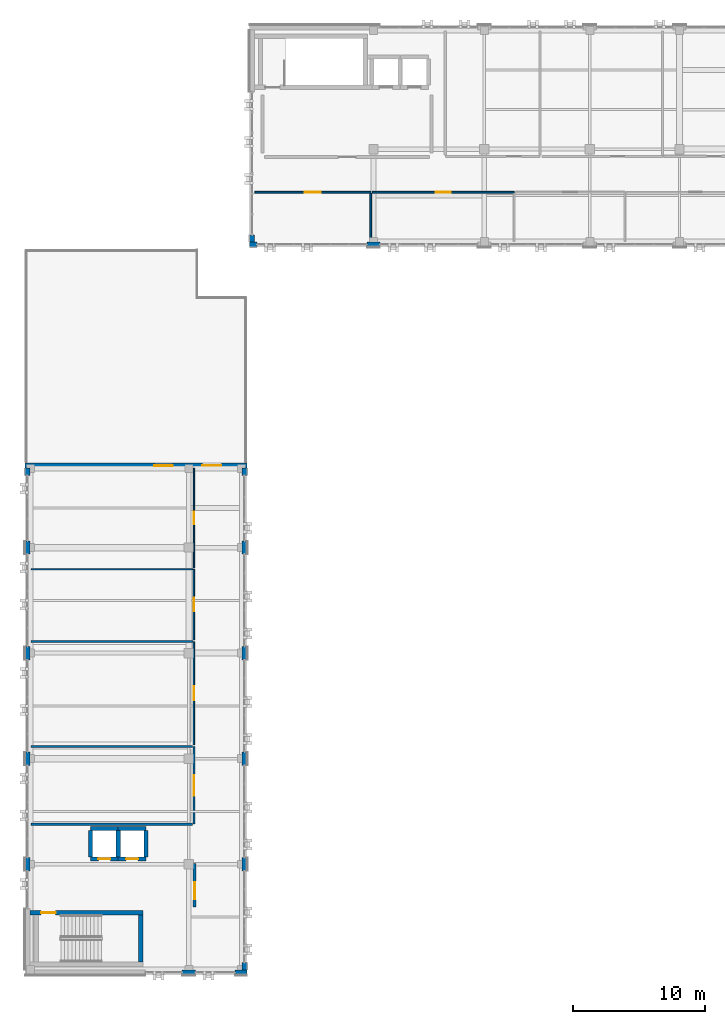
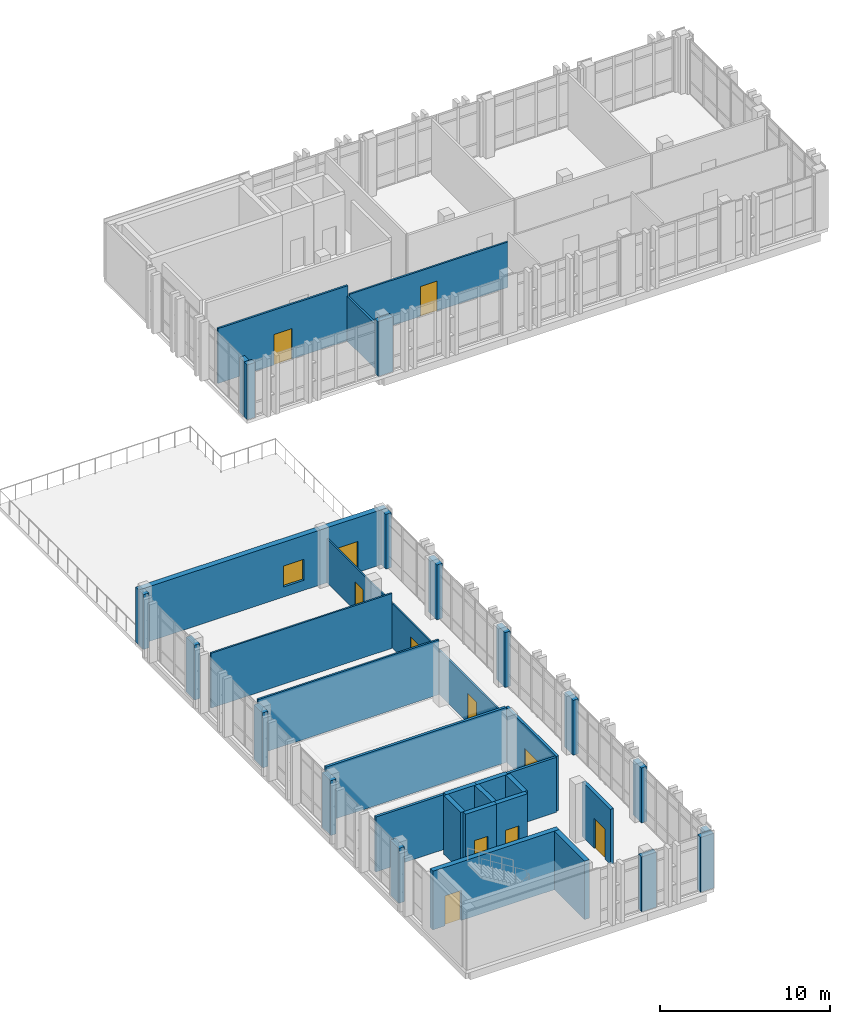
# One storey, part 59 of 77: 38 walls, 11 doors, 1 window, 12 openings.
"""IFC4 building model written with IfcOpenShell, lengths in metres."""

from ifc_helpers import new_model, si_unit, direction, frame, frame_2d, origin, place, context, subcontext, project, spatial, rectangle, extrude, material, layer, layer_set, type_object, element, fill, save


model = new_model("IFC4")

# Units and contexts
model_context = context("Model", 3, precision=1e-05, world=origin(), true_north=direction((0.0, 1.0)))
body_context = subcontext(model_context, "Body", "Model", "MODEL_VIEW")
ifc_project = project(units=[si_unit("LENGTHUNIT", "METRE"), si_unit("AREAUNIT", "SQUARE_METRE"), si_unit("VOLUMEUNIT", "CUBIC_METRE"), si_unit("PLANEANGLEUNIT", "RADIAN"), si_unit("MASSUNIT", "GRAM", prefix="KILO")], contexts=[model_context])

# Site, building, storey
site_placement = place(None, origin())
site = spatial("IfcSite", under=ifc_project, at=site_placement, CompositionType="ELEMENT")
building_placement = place(site_placement, origin())
building = spatial("IfcBuilding", under=site, at=building_placement, Name="Qalavern Law Courts", CompositionType="ELEMENT")
storey_placement = place(building_placement, frame((0.0, 0.0, 27.0)))
storey = spatial("IfcBuildingStorey", under=building, at=storey_placement, Name="L06", CompositionType="ELEMENT", Elevation=27.0)

# Walls
ifc_material_1 = material(Name="Concrete C40/50", Category="concrete")
ifc_layer_1 = layer(ifc_material_1, 0.3701171875)
ifc_layer_set_1 = layer_set([ifc_layer_1], Name="Concrete C40/50")
wall_type_1 = type_object("IfcWallType", Name="ENV-EW-370", PredefinedType="SOLIDWALL", material=ifc_layer_set_1)
wall_1_placement = place(storey_placement, frame((13.89990234375, 41.205078125, 0.0), z_axis=(0.0, 0.0, 1.0), x_axis=(1.0, 0.0, 0.0)))
element("IfcWall", 1, at=wall_1_placement, inside=storey, type_object=wall_type_1, Name="V3 exterior pier wall L06 south 2", PredefinedType="SOLIDWALL", context=body_context, shape_type="SweptSolid", body=[
    extrude(rectangle(XDim=1.0, YDim=0.3701171875, at=frame_2d((0.5, 0.0))), origin(), (0.0, 0.0, 1.0), 3.93505859375),
])
wall_2_placement = place(storey_placement, frame((17.89990234375, 41.205078125, 0.0), z_axis=(0.0, 0.0, 1.0), x_axis=(1.0, 0.0, 0.0)))
element("IfcWall", 2, at=wall_2_placement, inside=storey, type_object=wall_type_1, Name="V3 exterior pier wall L06 south 3", PredefinedType="SOLIDWALL", context=body_context, shape_type="SweptSolid", body=[
    extrude(rectangle(XDim=0.900146484375, YDim=0.3701171875, at=frame_2d((0.4501953125, 0.0))), origin(), (0.0, 0.0, 1.0), 3.93505859375),
])
wall_3_placement = place(storey_placement, frame((18.614990234375, 41.385009765625, 0.0), z_axis=(0.0, 0.0, 1.0), x_axis=(0.0, 1.0, 0.0)))
element("IfcWall", 3, at=wall_3_placement, inside=storey, type_object=wall_type_1, Name="V3 exterior pier wall L06 east 1", PredefinedType="SOLIDWALL", context=body_context, shape_type="SweptSolid", body=[
    extrude(rectangle(XDim=0.550048828125, YDim=0.3701171875, at=frame_2d((0.27490234375, 0.0))), origin(), (0.0, 0.0, 1.0), 3.93505859375),
])
for number, where, z_axis, x_axis, name in (
    (4, (18.614990234375, 48.89990234375, 0.0), (0.0, 0.0, 1.0), (0.0, 1.0, 0.0), "V3 exterior pier wall L06 east 2"),
    (5, (18.614990234375, 56.89990234375, 0.0), (0.0, 0.0, 1.0), (0.0, 1.0, 0.0), "V3 exterior pier wall L06 east 3"),
    (6, (18.614990234375, 64.89990234375, 0.0), (0.0, 0.0, 1.0), (0.0, 1.0, 0.0), "V3 exterior pier wall L06 east 4"),
    (7, (18.614990234375, 72.89990234375, 0.0), (0.0, 0.0, 1.0), (0.0, 1.0, 0.0), "V3 exterior pier wall L06 east 5"),
):
    element("IfcWall", number, at=place(storey_placement, frame(where, z_axis=z_axis, x_axis=x_axis)), inside=storey, type_object=wall_type_1, Name=name, PredefinedType="SOLIDWALL", context=body_context, shape_type="SweptSolid", body=[
        extrude(rectangle(XDim=1.0, YDim=0.3701171875, at=frame_2d((0.5, 0.0))), origin(), (0.0, 0.0, 1.0), 3.93505859375),
    ])
wall_4_placement = place(storey_placement, frame((18.614990234375, 78.885009765625, 0.0), z_axis=(0.0, 0.0, 1.0), x_axis=(0.0, 1.0, 0.0)))
element("IfcWall", 8, at=wall_4_placement, inside=storey, type_object=wall_type_1, Name="V3 exterior pier wall L06 east 6", PredefinedType="SOLIDWALL", context=body_context, shape_type="SweptSolid", body=[
    extrude(rectangle(XDim=0.550048828125, YDim=0.3701171875, at=frame_2d((0.27490234375, 0.0))), origin(), (0.0, 0.0, 1.0), 3.93505859375),
])

# Wall, openings, door, window
wall_5_placement = place(storey_placement, frame((18.800048828125, 79.614990234375, 0.0), z_axis=(0.0, 0.0, 1.0), x_axis=(-1.0, 0.0, 0.0)))
wall_5 = element("IfcWall", 9, at=wall_5_placement, inside=storey, type_object=wall_type_1, Name="V3 exterior wall L06 north 1", PredefinedType="SOLIDWALL", context=body_context, shape_type="SweptSolid", body=[
    extrude(rectangle(XDim=16.800048828125, YDim=0.3701171875, at=frame_2d((8.39990234375, 0.0))), origin(), (0.0, 0.0, 1.0), 3.93505859375),
])
opening_1_placement = place(wall_5_placement, frame((1.929931640625, 0.0, 0.0)))
opening_1 = element("IfcOpeningElement", 10, at=opening_1_placement, cuts=wall_5, Name="Opening TD-V3-L06", PredefinedType="OPENING", context=body_context, shape_type="SweptSolid", body=[
    extrude(rectangle(XDim=1.43994140625, YDim=2.219970703125, at=frame_2d((0.719970703125, 1.10986328125))), frame((0.0, 0.199951171875, 0.0), z_axis=(0.0, -1.0, 0.0), x_axis=(1.0, 0.0, 0.0)), (0.0, 0.0, 1.0), 0.39990234375),
])
opening_2_placement = place(wall_5_placement, frame((5.60009765625, 0.0, 0.719970703125)))
opening_2 = element("IfcOpeningElement", 11, at=opening_2_placement, cuts=wall_5, Name="Opening WN-03", PredefinedType="OPENING", context=body_context, shape_type="SweptSolid", body=[
    extrude(rectangle(XDim=1.39990234375, YDim=1.5, at=frame_2d((0.699951171875, 0.75))), frame((0.0, 0.199951171875, 0.0), z_axis=(0.0, -1.0, 0.0), x_axis=(1.0, 0.0, 0.0)), (0.0, 0.0, 1.0), 0.39990234375),
])
ifc_material_2 = material(Name="Thermally broken anodised aluminium and laminated safety glass", Category="aluminium")
door_type_1 = type_object("IfcDoorType", Name="ENV-TD-1440x2220", OperationType="DOUBLE_DOOR_SINGLE_SWING", PredefinedType="DOOR", material=ifc_material_2)
door_1_placement = place(opening_1_placement, frame((1.43994140625, 0.0, 0.0), z_axis=(0.0, 0.0, 1.0), x_axis=(-1.0, 0.0, 0.0)))
door_1 = element("IfcDoor", 12, at=door_1_placement, inside=storey, type_object=door_type_1, Name="Outdoor terrace access door TD-V3-L06", OperationType="DOUBLE_DOOR_SINGLE_SWING", OverallHeight=2.219970703125, OverallWidth=1.43994140625, PredefinedType="DOOR", context=body_context, shape_type="SweptSolid", body=[
    extrude(rectangle(XDim=1.43994140625, YDim=2.219970703125, at=frame_2d((0.719970703125, 1.10986328125))), frame((0.0, 0.02490234375, 0.0), z_axis=(0.0, -1.0, 0.0), x_axis=(1.0, 0.0, 0.0)), (0.0, 0.0, 1.0), 0.050048828125),
])
fill(opening_1, door_1)
ifc_material_3 = material(Name="Anodised aluminium frame with low-E double glazing", Category="aluminium")
window_type = type_object("IfcWindowType", Name="ENV-WIN-1400x1500", PartitioningType="SINGLE_PANEL", PredefinedType="WINDOW", material=ifc_material_3)
window_placement = place(opening_2_placement, origin())
window = element("IfcWindow", 13, at=window_placement, inside=storey, type_object=window_type, Name="V3 window L06 north 2", OverallHeight=1.5, OverallWidth=1.39990234375, PartitioningType="SINGLE_PANEL", PredefinedType="WINDOW", context=body_context, shape_type="SweptSolid", body=[
    extrude(rectangle(XDim=1.39990234375, YDim=1.5, at=frame_2d((0.699951171875, 0.75))), frame((0.0, 0.030029296875, 0.0), z_axis=(0.0, -1.0, 0.0), x_axis=(1.0, 0.0, 0.0)), (0.0, 0.0, 1.0), 0.06005859375),
])
fill(opening_2, window)

# Walls
wall_6_placement = place(storey_placement, frame((2.18505859375, 79.43505859375, 0.0), z_axis=(0.0, 0.0, 1.0), x_axis=(0.0, -1.0, 0.0)))
element("IfcWall", 14, at=wall_6_placement, inside=storey, type_object=wall_type_1, Name="V3 exterior pier wall L06 west 1", PredefinedType="SOLIDWALL", context=body_context, shape_type="SweptSolid", body=[
    extrude(rectangle(XDim=0.550048828125, YDim=0.3701171875, at=frame_2d((0.27490234375, 0.0))), origin(), (0.0, 0.0, 1.0), 3.93505859375),
])
for number, where, z_axis, x_axis, name in (
    (15, (2.18505859375, 73.89990234375, 0.0), (0.0, 0.0, 1.0), (0.0, -1.0, 0.0), "V3 exterior pier wall L06 west 2"),
    (16, (2.18505859375, 65.89990234375, 0.0), (0.0, 0.0, 1.0), (0.0, -1.0, 0.0), "V3 exterior pier wall L06 west 3"),
    (17, (2.18505859375, 57.89990234375, 0.0), (0.0, 0.0, 1.0), (0.0, -1.0, 0.0), "V3 exterior pier wall L06 west 4"),
    (18, (2.18505859375, 49.89990234375, 0.0), (0.0, 0.0, 1.0), (0.0, -1.0, 0.0), "V3 exterior pier wall L06 west 5"),
):
    element("IfcWall", number, at=place(storey_placement, frame(where, z_axis=z_axis, x_axis=x_axis)), inside=storey, type_object=wall_type_1, Name=name, PredefinedType="SOLIDWALL", context=body_context, shape_type="SweptSolid", body=[
        extrude(rectangle(XDim=1.0, YDim=0.3701171875, at=frame_2d((0.5, 0.0))), origin(), (0.0, 0.0, 1.0), 3.93505859375),
    ])
wall_7_placement = place(storey_placement, frame((19.02001953125, 96.385009765625, 0.0), z_axis=(0.0, 0.0, 1.0), x_axis=(1.0, 0.0, 0.0)))
element("IfcWall", 19, at=wall_7_placement, inside=storey, type_object=wall_type_1, Name="V5 exterior pier wall L06 south 1", PredefinedType="SOLIDWALL", context=body_context, shape_type="SweptSolid", body=[
    extrude(rectangle(XDim=0.550048828125, YDim=0.3701171875, at=frame_2d((0.27490234375, 0.0))), origin(), (0.0, 0.0, 1.0), 3.93505859375),
])
wall_8_placement = place(storey_placement, frame((27.89990234375, 96.385009765625, 0.0), z_axis=(0.0, 0.0, 1.0), x_axis=(1.0, 0.0, 0.0)))
element("IfcWall", 20, at=wall_8_placement, inside=storey, type_object=wall_type_1, Name="V5 exterior pier wall L06 south 2", PredefinedType="SOLIDWALL", context=body_context, shape_type="SweptSolid", body=[
    extrude(rectangle(XDim=1.0, YDim=0.3701171875, at=frame_2d((0.5, 0.0))), origin(), (0.0, 0.0, 1.0), 3.93505859375),
])
wall_9_placement = place(storey_placement, frame((19.205078125, 97.114990234375, 0.0), z_axis=(0.0, 0.0, 1.0), x_axis=(0.0, -1.0, 0.0)))
element("IfcWall", 21, at=wall_9_placement, inside=storey, type_object=wall_type_1, Name="V5 exterior pier wall L06 west 2", PredefinedType="SOLIDWALL", context=body_context, shape_type="SweptSolid", body=[
    extrude(rectangle(XDim=0.550048828125, YDim=0.3701171875, at=frame_2d((0.27490234375, 0.0))), origin(), (0.0, 0.0, 1.0), 3.93505859375),
])
ifc_material_4 = material(Name="Concrete C45/55", Category="concrete")
ifc_layer_2 = layer(ifc_material_4, 0.3349609375)
ifc_layer_set_2 = layer_set([ifc_layer_2], Name="Concrete C45/55")
wall_type_2 = type_object("IfcWallType", Name="INT-CW-335", PredefinedType="SHEAR", material=ifc_layer_set_2)
wall_10_placement = place(storey_placement, frame((10.767578125, 42.0, 0.0), z_axis=(0.0, 0.0, 1.0), x_axis=(0.0, 1.0, 0.0)))
element("IfcWall", 22, at=wall_10_placement, inside=storey, type_object=wall_type_2, Name="Core K2 stair shear wall L06 east", PredefinedType="SHEAR", context=body_context, shape_type="SweptSolid", body=[
    extrude(rectangle(XDim=3.550048828125, YDim=0.3349609375, at=frame_2d((1.77490234375, 0.0))), origin(), (0.0, 0.0, 1.0), 4.199951171875),
])

# Wall, opening, door
wall_11_placement = place(storey_placement, frame((10.93505859375, 45.717529296875, 0.0), z_axis=(0.0, 0.0, 1.0), x_axis=(-1.0, 0.0, 0.0)))
wall_11 = element("IfcWall", 23, at=wall_11_placement, inside=storey, type_object=wall_type_2, Name="Core K2 stair shear wall L06 north", PredefinedType="SHEAR", context=body_context, shape_type="SweptSolid", body=[
    extrude(rectangle(XDim=8.56201171875, YDim=0.3349609375, at=frame_2d((4.281005859375, 0.0))), origin(), (0.0, 0.0, 1.0), 4.199951171875),
])
opening_3_placement = place(wall_11_placement, frame((6.635009765625, 0.0, 0.0)))
opening_3 = element("IfcOpeningElement", 24, at=opening_3_placement, cuts=wall_11, Name="Opening L06-D065", PredefinedType="OPENING", context=body_context, shape_type="SweptSolid", body=[
    extrude(rectangle(XDim=1.10009765625, YDim=2.14990234375, at=frame_2d((0.550048828125, 1.074951171875))), frame((0.0, 0.182373046875, 0.0), z_axis=(0.0, -1.0, 0.0), x_axis=(1.0, 0.0, 0.0)), (0.0, 0.0, 1.0), 0.36474609375),
])
ifc_material_5 = material(Name="Steel fire-rated stair enclosure door", Category="steel")
door_type_2 = type_object("IfcDoorType", Name="INT-FD-1100x2150", OperationType="NOTDEFINED", PredefinedType="DOOR", material=ifc_material_5)
door_2_placement = place(opening_3_placement, frame((1.10009765625, 0.0, 0.0), z_axis=(0.0, 0.0, 1.0), x_axis=(-1.0, 0.0, 0.0)))
door_2 = element("IfcDoor", 25, at=door_2_placement, inside=storey, type_object=door_type_2, Name="Stair K2 fire door L06", OperationType="SINGLE_SWING_LEFT", OverallHeight=2.14990234375, OverallWidth=1.10009765625, PredefinedType="DOOR", context=body_context, shape_type="SweptSolid", body=[
    extrude(rectangle(XDim=1.10009765625, YDim=2.14990234375, at=frame_2d((0.550048828125, 1.074951171875))), frame((0.0, 0.02490234375, 0.0), z_axis=(0.0, -1.0, 0.0), x_axis=(1.0, 0.0, 0.0)), (0.0, 0.0, 1.0), 0.050048828125),
])
fill(opening_3, door_2)

ifc_layer_3 = layer(ifc_material_1, 0.22509765625)
ifc_layer_set_3 = layer_set([ifc_layer_3], Name="Concrete C40/50")
wall_type_3 = type_object("IfcWallType", Name="INT-FW-225", PredefinedType="PARTITIONING", material=ifc_layer_set_3)
wall_12_placement = place(storey_placement, frame((14.85009765625, 46.14990234375, 0.0), z_axis=(0.0, 0.0, 1.0), x_axis=(0.0, 1.0, 0.0)))
wall_12 = element("IfcWall", 26, at=wall_12_placement, inside=storey, type_object=wall_type_3, Name="Core K2 firefighting/stair lobby fire wall L06", PredefinedType="PARTITIONING", context=body_context, shape_type="SweptSolid", body=[
    extrude(rectangle(XDim=3.300048828125, YDim=0.22509765625, at=frame_2d((1.64990234375, 0.0))), origin(), (0.0, 0.0, 1.0), 3.93505859375),
])
opening_4_placement = place(wall_12_placement, frame((0.60009765625, 0.0, 0.0)))
opening_4 = element("IfcOpeningElement", 27, at=opening_4_placement, cuts=wall_12, Name="Opening L06-D066", PredefinedType="OPENING", context=body_context, shape_type="SweptSolid", body=[
    extrude(rectangle(XDim=1.300048828125, YDim=2.14990234375, at=frame_2d((0.64990234375, 1.074951171875))), frame((0.0, 0.12744140625, 0.0), z_axis=(0.0, -1.0, 0.0), x_axis=(1.0, 0.0, 0.0)), (0.0, 0.0, 1.0), 0.2548828125),
])
ifc_material_6 = material(Name="Steel fire-rated frame and acoustic timber leaves", Category="steel")
door_type_3 = type_object("IfcDoorType", Name="INT-FD-1300x2150", OperationType="DOUBLE_DOOR_SINGLE_SWING", PredefinedType="DOOR", material=ifc_material_6)
door_3_placement = place(opening_4_placement, origin())
door_3 = element("IfcDoor", 28, at=door_3_placement, inside=storey, type_object=door_type_3, Name="Core K2 lobby fire door L06", OperationType="DOUBLE_DOOR_SINGLE_SWING", OverallHeight=2.14990234375, OverallWidth=1.300048828125, PredefinedType="DOOR", context=body_context, shape_type="SweptSolid", body=[
    extrude(rectangle(XDim=1.300048828125, YDim=2.14990234375, at=frame_2d((0.64990234375, 1.074951171875))), frame((0.0, 0.02490234375, 0.0), z_axis=(0.0, -1.0, 0.0), x_axis=(1.0, 0.0, 0.0)), (0.0, 0.0, 1.0), 0.050048828125),
])
fill(opening_4, door_3)

ifc_material_7 = material(Name="Gypsum sanitary partition")
ifc_layer_4 = layer(ifc_material_7, 0.10205078125)
ifc_layer_set_4 = layer_set([ifc_layer_4], Name="Gypsum sanitary partition")
wall_type_4 = type_object("IfcWallType", Name="INT-PW-102", PredefinedType="PARTITIONING", material=ifc_layer_set_4)
wall_13_placement = place(storey_placement, frame((14.7900390625, 71.8798828125, 0.0), z_axis=(0.0, 0.0, 1.0), x_axis=(0.0, 1.0, 0.0)))
wall_13 = element("IfcWall", 29, at=wall_13_placement, inside=storey, type_object=wall_type_4, Name="Accessible WC corridor partition L06", PredefinedType="PARTITIONING", context=body_context, shape_type="SweptSolid", body=[
    extrude(rectangle(XDim=7.5400390625, YDim=0.10205078125, at=frame_2d((3.77001953125, 0.0))), origin(), (0.0, 0.0, 1.0), 3.1650390625),
])
opening_5_placement = place(wall_13_placement, frame((3.300048828125, 0.0, 0.0)))
opening_5 = element("IfcOpeningElement", 30, at=opening_5_placement, cuts=wall_13, Name="Opening L06-D241", PredefinedType="OPENING", context=body_context, shape_type="SweptSolid", body=[
    extrude(rectangle(XDim=0.93994140625, YDim=2.070068359375, at=frame_2d((0.469970703125, 1.03515625))), frame((0.0, 0.06591796875, 0.0), z_axis=(0.0, -1.0, 0.0), x_axis=(1.0, 0.0, 0.0)), (0.0, 0.0, 1.0), 0.1318359375),
])
ifc_material_8 = material(Name="Accessible WC outward-clear door")
door_type_4 = type_object("IfcDoorType", Name="INT-ID-940x2070", OperationType="NOTDEFINED", PredefinedType="DOOR", material=ifc_material_8)
door_4_placement = place(opening_5_placement, frame((0.93994140625, 0.0, 0.0), z_axis=(0.0, 0.0, 1.0), x_axis=(-1.0, 0.0, 0.0)))
door_4 = element("IfcDoor", 31, at=door_4_placement, inside=storey, type_object=door_type_4, Name="Accessible WC door L06", OperationType="SINGLE_SWING_RIGHT", OverallHeight=2.070068359375, OverallWidth=0.93994140625, PredefinedType="DOOR", context=body_context, shape_type="SweptSolid", body=[
    extrude(rectangle(XDim=0.93994140625, YDim=2.070068359375, at=frame_2d((0.469970703125, 1.03515625))), frame((0.0, 0.02490234375, 0.0), z_axis=(0.0, -1.0, 0.0), x_axis=(1.0, 0.0, 0.0)), (0.0, 0.0, 1.0), 0.050048828125),
])
fill(opening_5, door_4)

ifc_material_9 = material(Name="Gypsum stud partition")
ifc_layer_5 = layer(ifc_material_9, 0.112060546875)
ifc_layer_set_5 = layer_set([ifc_layer_5], Name="Gypsum stud partition")
wall_type_5 = type_object("IfcWallType", Name="INT-PW-112", PredefinedType="PARTITIONING", material=ifc_layer_set_5)
wall_14_placement = place(storey_placement, frame((14.7900390625, 66.403076171875, 0.0), z_axis=(0.0, 0.0, 1.0), x_axis=(0.0, 1.0, 0.0)))
wall_14 = element("IfcWall", 32, at=wall_14_placement, inside=storey, type_object=wall_type_5, Name="Judicial Clerks' Office corridor partition L06", PredefinedType="PARTITIONING", context=body_context, shape_type="SweptSolid", body=[
    extrude(rectangle(XDim=5.35693359375, YDim=0.112060546875, at=frame_2d((2.678466796875, 0.0))), origin(), (0.0, 0.0, 1.0), 3.1650390625),
])
opening_6_placement = place(wall_14_placement, frame((2.16357421875, 0.0, 0.0)))
opening_6 = element("IfcOpeningElement", 33, at=opening_6_placement, cuts=wall_14, Name="Opening L06-D240", PredefinedType="OPENING", context=body_context, shape_type="SweptSolid", body=[
    extrude(rectangle(XDim=1.030029296875, YDim=2.110107421875, at=frame_2d((0.51513671875, 1.05517578125))), frame((0.0, 0.07080078125, 0.0), z_axis=(0.0, -1.0, 0.0), x_axis=(1.0, 0.0, 0.0)), (0.0, 0.0, 1.0), 0.141845703125),
])
ifc_material_10 = material(Name="Oak Mediation Suite door")
door_type_5 = type_object("IfcDoorType", Name="INT-ID-1030x2110", OperationType="NOTDEFINED", PredefinedType="DOOR", material=ifc_material_10)
door_5_placement = place(opening_6_placement, frame((1.030029296875, 0.0, 0.0), z_axis=(0.0, 0.0, 1.0), x_axis=(-1.0, 0.0, 0.0)))
door_5 = element("IfcDoor", 34, at=door_5_placement, inside=storey, type_object=door_type_5, Name="Judicial Clerks' Office door L06", OperationType="SINGLE_SWING_LEFT", OverallHeight=2.110107421875, OverallWidth=1.030029296875, PredefinedType="DOOR", context=body_context, shape_type="SweptSolid", body=[
    extrude(rectangle(XDim=1.030029296875, YDim=2.110107421875, at=frame_2d((0.51513671875, 1.05517578125))), frame((0.0, 0.02490234375, 0.0), z_axis=(0.0, -1.0, 0.0), x_axis=(1.0, 0.0, 0.0)), (0.0, 0.0, 1.0), 0.050048828125),
])
fill(opening_6, door_5)

# Wall
wall_15_placement = place(storey_placement, frame((2.43994140625, 71.760009765625, 0.0), z_axis=(0.0, 0.0, 1.0), x_axis=(1.0, 0.0, 0.0)))
element("IfcWall", 35, at=wall_15_placement, inside=storey, type_object=wall_type_5, Name="Judicial Clerks' Office cross partition L06 north", PredefinedType="PARTITIONING", context=body_context, shape_type="SweptSolid", body=[
    extrude(rectangle(XDim=12.274169921875, YDim=0.112060546875, at=frame_2d((6.13720703125, 0.0))), origin(), (0.0, 0.0, 1.0), 3.93505859375),
])

# Wall, opening, door
ifc_layer_6 = layer(ifc_material_9, 0.1220703125)
ifc_layer_set_6 = layer_set([ifc_layer_6], Name="Gypsum stud partition")
wall_type_6 = type_object("IfcWallType", Name="INT-PW-122", PredefinedType="PARTITIONING", material=ifc_layer_set_6)
wall_16_placement = place(storey_placement, frame((14.7900390625, 58.449951171875, 0.0), z_axis=(0.0, 0.0, 1.0), x_axis=(0.0, 1.0, 0.0)))
wall_16 = element("IfcWall", 36, at=wall_16_placement, inside=storey, type_object=wall_type_6, Name="Judges' Chambers corridor partition L06", PredefinedType="PARTITIONING", context=body_context, shape_type="SweptSolid", body=[
    extrude(rectangle(XDim=7.8330078125, YDim=0.1220703125, at=frame_2d((3.91650390625, 0.0))), origin(), (0.0, 0.0, 1.0), 3.1650390625),
])
opening_7_placement = place(wall_16_placement, frame((3.386474609375, 0.0, 0.0)))
opening_7 = element("IfcOpeningElement", 37, at=opening_7_placement, cuts=wall_16, Name="Opening L06-D239", PredefinedType="OPENING", context=body_context, shape_type="SweptSolid", body=[
    extrude(rectangle(XDim=1.06005859375, YDim=2.1201171875, at=frame_2d((0.530029296875, 1.06005859375))), frame((0.0, 0.075927734375, 0.0), z_axis=(0.0, -1.0, 0.0), x_axis=(1.0, 0.0, 0.0)), (0.0, 0.0, 1.0), 0.15185546875),
])
ifc_material_11 = material(Name="Solid oak Trial Judges' Chambers door")
door_type_6 = type_object("IfcDoorType", Name="INT-ID-1060x2120", OperationType="NOTDEFINED", PredefinedType="DOOR", material=ifc_material_11)
door_6_placement = place(opening_7_placement, frame((1.06005859375, 0.0, 0.0), z_axis=(0.0, 0.0, 1.0), x_axis=(-1.0, 0.0, 0.0)))
door_6 = element("IfcDoor", 38, at=door_6_placement, inside=storey, type_object=door_type_6, Name="Judges' Chambers door L06", OperationType="SINGLE_SWING_RIGHT", OverallHeight=2.1201171875, OverallWidth=1.06005859375, PredefinedType="DOOR", context=body_context, shape_type="SweptSolid", body=[
    extrude(rectangle(XDim=1.06005859375, YDim=2.1201171875, at=frame_2d((0.530029296875, 1.06005859375))), frame((0.0, 0.02490234375, 0.0), z_axis=(0.0, -1.0, 0.0), x_axis=(1.0, 0.0, 0.0)), (0.0, 0.0, 1.0), 0.050048828125),
])
fill(opening_7, door_6)

# Wall
wall_17_placement = place(storey_placement, frame((2.43994140625, 66.282958984375, 0.0), z_axis=(0.0, 0.0, 1.0), x_axis=(1.0, 0.0, 0.0)))
element("IfcWall", 39, at=wall_17_placement, inside=storey, type_object=wall_type_6, Name="Judges' Chambers cross partition L06 north", PredefinedType="PARTITIONING", context=body_context, shape_type="SweptSolid", body=[
    extrude(rectangle(XDim=12.26904296875, YDim=0.1220703125, at=frame_2d((6.134521484375, 0.0))), origin(), (0.0, 0.0, 1.0), 3.93505859375),
])

# Wall, opening, door
wall_18_placement = place(storey_placement, frame((28.320068359375, 100.340087890625, 0.0), z_axis=(0.0, 0.0, 1.0), x_axis=(1.0, 0.0, 0.0)))
wall_18 = element("IfcWall", 40, at=wall_18_placement, inside=storey, type_object=wall_type_6, Name="Judicial Clerks' Office corridor partition L06", PredefinedType="PARTITIONING", context=body_context, shape_type="SweptSolid", body=[
    extrude(rectangle(XDim=10.742919921875, YDim=0.1220703125, at=frame_2d((5.37158203125, 0.0))), origin(), (0.0, 0.0, 1.0), 3.264892578125),
])
opening_8_placement = place(wall_18_placement, frame((4.8115234375, 0.0, 0.0)))
opening_8 = element("IfcOpeningElement", 41, at=opening_8_placement, cuts=wall_18, Name="Opening L06-D399", PredefinedType="OPENING", context=body_context, shape_type="SweptSolid", body=[
    extrude(rectangle(XDim=1.1201171875, YDim=2.139892578125, at=frame_2d((0.56005859375, 1.06982421875))), frame((0.0, 0.075927734375, 0.0), z_axis=(0.0, -1.0, 0.0), x_axis=(1.0, 0.0, 0.0)), (0.0, 0.0, 1.0), 0.15185546875),
])
ifc_material_12 = material(Name="Solid oak Appellate Chambers door")
door_type_7 = type_object("IfcDoorType", Name="INT-ID-1120x2140", OperationType="NOTDEFINED", PredefinedType="DOOR", material=ifc_material_12)
door_7_placement = place(opening_8_placement, frame((1.1201171875, 0.0, 0.0), z_axis=(0.0, 0.0, 1.0), x_axis=(-1.0, 0.0, 0.0)))
door_7 = element("IfcDoor", 42, at=door_7_placement, inside=storey, type_object=door_type_7, Name="Judicial Clerks' Office door L06", OperationType="SINGLE_SWING_RIGHT", OverallHeight=2.139892578125, OverallWidth=1.1201171875, PredefinedType="DOOR", context=body_context, shape_type="SweptSolid", body=[
    extrude(rectangle(XDim=1.1201171875, YDim=2.139892578125, at=frame_2d((0.56005859375, 1.06982421875))), frame((0.0, 0.02490234375, 0.0), z_axis=(0.0, -1.0, 0.0), x_axis=(1.0, 0.0, 0.0)), (0.0, 0.0, 1.0), 0.050048828125),
])
fill(opening_8, door_7)

ifc_layer_7 = layer(ifc_material_9, 0.132080078125)
ifc_layer_set_7 = layer_set([ifc_layer_7], Name="Gypsum stud partition")
wall_type_7 = type_object("IfcWallType", Name="INT-PW-132", PredefinedType="PARTITIONING", material=ifc_layer_set_7)
wall_19_placement = place(storey_placement, frame((19.39990234375, 100.340087890625, 0.0), z_axis=(0.0, 0.0, 1.0), x_axis=(1.0, 0.0, 0.0)))
wall_19 = element("IfcWall", 43, at=wall_19_placement, inside=storey, type_object=wall_type_7, Name="Presiding Judges' Chambers corridor partition L06", PredefinedType="PARTITIONING", context=body_context, shape_type="SweptSolid", body=[
    extrude(rectangle(XDim=8.800048828125, YDim=0.132080078125, at=frame_2d((4.39990234375, 0.0))), origin(), (0.0, 0.0, 1.0), 3.93505859375),
])
opening_9_placement = place(wall_19_placement, frame((3.7900390625, 0.0, 0.0)))
opening_9 = element("IfcOpeningElement", 44, at=opening_9_placement, cuts=wall_19, Name="Opening L06-D398", PredefinedType="OPENING", context=body_context, shape_type="SweptSolid", body=[
    extrude(rectangle(XDim=1.219970703125, YDim=2.179931640625, at=frame_2d((0.60986328125, 1.08984375))), frame((0.0, 0.0810546875, 0.0), z_axis=(0.0, -1.0, 0.0), x_axis=(1.0, 0.0, 0.0)), (0.0, 0.0, 1.0), 0.161865234375),
])
ifc_material_13 = material(Name="Wide oak Plenary Boardroom door")
door_type_8 = type_object("IfcDoorType", Name="INT-ID-1220x2180", OperationType="NOTDEFINED", PredefinedType="DOOR", material=ifc_material_13)
door_8_placement = place(opening_9_placement, frame((1.219970703125, 0.0, 0.0), z_axis=(0.0, 0.0, 1.0), x_axis=(-1.0, 0.0, 0.0)))
door_8 = element("IfcDoor", 45, at=door_8_placement, inside=storey, type_object=door_type_8, Name="Presiding Judges' Chambers door L06", OperationType="SINGLE_SWING_LEFT", OverallHeight=2.179931640625, OverallWidth=1.219970703125, PredefinedType="DOOR", context=body_context, shape_type="SweptSolid", body=[
    extrude(rectangle(XDim=1.219970703125, YDim=2.179931640625, at=frame_2d((0.60986328125, 1.08984375))), frame((0.0, 0.02490234375, 0.0), z_axis=(0.0, -1.0, 0.0), x_axis=(1.0, 0.0, 0.0)), (0.0, 0.0, 1.0), 0.050048828125),
])
fill(opening_9, door_8)

# Wall
wall_20_placement = place(storey_placement, frame((28.199951171875, 96.639892578125, 0.0), z_axis=(0.0, 0.0, 1.0), x_axis=(0.0, 1.0, 0.0)))
element("IfcWall", 46, at=wall_20_placement, inside=storey, type_object=wall_type_7, Name="Presiding Judges' Chambers cross partition L06 east", PredefinedType="PARTITIONING", context=body_context, shape_type="SweptSolid", body=[
    extrude(rectangle(XDim=3.614013671875, YDim=0.132080078125, at=frame_2d((1.80712890625, 0.0))), origin(), (0.0, 0.0, 1.0), 3.215087890625),
])

# Wall, opening, door
ifc_material_14 = material(Name="Gypsum acoustic stud partition")
ifc_layer_8 = layer(ifc_material_14, 0.174072265625)
ifc_layer_set_8 = layer_set([ifc_layer_8], Name="Gypsum acoustic stud partition")
wall_type_8 = type_object("IfcWallType", Name="INT-PW-174", PredefinedType="PARTITIONING", material=ifc_layer_set_8)
wall_21_placement = place(storey_placement, frame((14.7900390625, 52.43994140625, 0.0), z_axis=(0.0, 0.0, 1.0), x_axis=(0.0, 1.0, 0.0)))
wall_21 = element("IfcWall", 47, at=wall_21_placement, inside=storey, type_object=wall_type_8, Name="Criminal Motions Courtroom corridor partition L06", PredefinedType="PARTITIONING", context=body_context, shape_type="SweptSolid", body=[
    extrude(rectangle(XDim=5.89013671875, YDim=0.174072265625, at=frame_2d((2.945068359375, 0.0))), origin(), (0.0, 0.0, 1.0), 3.93505859375),
])
opening_10_placement = place(wall_21_placement, frame((2.169921875, 0.0, 0.0)))
opening_10 = element("IfcOpeningElement", 48, at=opening_10_placement, cuts=wall_21, Name="Opening L06-D238", PredefinedType="OPENING", context=body_context, shape_type="SweptSolid", body=[
    extrude(rectangle(XDim=1.550048828125, YDim=2.280029296875, at=frame_2d((0.77490234375, 1.14013671875))), frame((0.0, 0.10205078125, 0.0), z_axis=(0.0, -1.0, 0.0), x_axis=(1.0, 0.0, 0.0)), (0.0, 0.0, 1.0), 0.203857421875),
])
ifc_material_15 = material(Name="Acoustic oak double Civil Courtroom door")
door_type_9 = type_object("IfcDoorType", Name="INT-ID-1550x2280", OperationType="DOUBLE_DOOR_SINGLE_SWING", PredefinedType="DOOR", material=ifc_material_15)
door_9_placement = place(opening_10_placement, frame((1.550048828125, 0.0, 0.0), z_axis=(0.0, 0.0, 1.0), x_axis=(-1.0, 0.0, 0.0)))
door_9 = element("IfcDoor", 49, at=door_9_placement, inside=storey, type_object=door_type_9, Name="Criminal Motions Courtroom door L06", OperationType="DOUBLE_DOOR_SINGLE_SWING", OverallHeight=2.280029296875, OverallWidth=1.550048828125, PredefinedType="DOOR", context=body_context, shape_type="SweptSolid", body=[
    extrude(rectangle(XDim=1.550048828125, YDim=2.280029296875, at=frame_2d((0.77490234375, 1.14013671875))), frame((0.0, 0.02490234375, 0.0), z_axis=(0.0, -1.0, 0.0), x_axis=(1.0, 0.0, 0.0)), (0.0, 0.0, 1.0), 0.050048828125),
])
fill(opening_10, door_9)

# Walls
for number, where, z_axis, x_axis, name in (
    (50, (2.43994140625, 52.43994140625, 0.0), (0.0, 0.0, 1.0), (1.0, 0.0, 0.0), "Criminal Motions Courtroom cross partition L06 south"),
    (51, (2.43994140625, 58.330078125, 0.0), (0.0, 0.0, 1.0), (1.0, 0.0, 0.0), "Criminal Motions Courtroom cross partition L06 north"),
):
    element("IfcWall", number, at=place(storey_placement, frame(where, z_axis=z_axis, x_axis=x_axis)), inside=storey, type_object=wall_type_8, Name=name, PredefinedType="PARTITIONING", context=body_context, shape_type="SweptSolid", body=[
        extrude(rectangle(XDim=12.2431640625, YDim=0.174072265625, at=frame_2d((6.12158203125, 0.0))), origin(), (0.0, 0.0, 1.0), 3.93505859375),
    ])

# Wall, opening, door
ifc_layer_9 = layer(ifc_material_4, 0.304931640625)
ifc_layer_set_9 = layer_set([ifc_layer_9], Name="Concrete C45/55")
wall_type_9 = type_object("IfcWallType", Name="INT-SW-305", PredefinedType="SHEAR", material=ifc_layer_set_9)
wall_22_placement = place(storey_placement, frame((6.947509765625, 49.797607421875, 0.0), z_axis=(0.0, 0.0, 1.0), x_axis=(1.0, 0.0, 0.0)))
wall_22 = element("IfcWall", 52, at=wall_22_placement, inside=storey, type_object=wall_type_9, Name="Lift LF-C1 shaft wall L06 south", PredefinedType="SHEAR", context=body_context, shape_type="SweptSolid", body=[
    extrude(rectangle(XDim=2.10498046875, YDim=0.304931640625, at=frame_2d((1.052490234375, 0.0))), origin(), (0.0, 0.0, 1.0), 4.199951171875),
])
opening_11_placement = place(wall_22_placement, frame((0.592529296875, 0.0, 0.0)))
opening_11 = element("IfcOpeningElement", 53, at=opening_11_placement, cuts=wall_22, Name="Opening LD-LF-C1-L06", PredefinedType="OPENING", context=body_context, shape_type="SweptSolid", body=[
    extrude(rectangle(XDim=0.919921875, YDim=2.10009765625, at=frame_2d((0.4599609375, 1.050048828125))), frame((0.0, 0.16748046875, 0.0), z_axis=(0.0, -1.0, 0.0), x_axis=(1.0, 0.0, 0.0)), (0.0, 0.0, 1.0), 0.334716796875),
])
ifc_material_16 = material(Name="Heavy-gauge steel custody lift sliding landing door", Category="steel")
door_type_10 = type_object("IfcDoorType", Name="INT-LD-920x2100", OperationType="SLIDING_TO_LEFT", PredefinedType="DOOR", material=ifc_material_16)
door_10_placement = place(opening_11_placement, origin())
door_10 = element("IfcDoor", 54, at=door_10_placement, inside=storey, type_object=door_type_10, Name="Lift LF-C1 sliding landing door L06", OperationType="SLIDING_TO_LEFT", OverallHeight=2.10009765625, OverallWidth=0.919921875, PredefinedType="DOOR", context=body_context, shape_type="SweptSolid", body=[
    extrude(rectangle(XDim=0.919921875, YDim=2.10009765625, at=frame_2d((0.4599609375, 1.050048828125))), frame((0.0, 0.02490234375, 0.0), z_axis=(0.0, -1.0, 0.0), x_axis=(1.0, 0.0, 0.0)), (0.0, 0.0, 1.0), 0.050048828125),
])
fill(opening_11, door_10)

# Walls
wall_23_placement = place(storey_placement, frame((9.052490234375, 49.949951171875, 0.0), z_axis=(0.0, 0.0, 1.0), x_axis=(0.0, 1.0, 0.0)))
element("IfcWall", 55, at=wall_23_placement, inside=storey, type_object=wall_type_9, Name="Lift LF-C1 shaft wall L06 east", PredefinedType="SHEAR", context=body_context, shape_type="SweptSolid", body=[
    extrude(rectangle(XDim=2.0, YDim=0.304931640625, at=frame_2d((1.0, 0.0))), origin(), (0.0, 0.0, 1.0), 4.199951171875),
])
wall_24_placement = place(storey_placement, frame((9.052490234375, 52.1025390625, 0.0), z_axis=(0.0, 0.0, 1.0), x_axis=(-1.0, 0.0, 0.0)))
element("IfcWall", 56, at=wall_24_placement, inside=storey, type_object=wall_type_9, Name="Lift LF-C1 shaft wall L06 north", PredefinedType="SHEAR", context=body_context, shape_type="SweptSolid", body=[
    extrude(rectangle(XDim=2.10498046875, YDim=0.304931640625, at=frame_2d((1.052490234375, 0.0))), origin(), (0.0, 0.0, 1.0), 4.199951171875),
])
wall_25_placement = place(storey_placement, frame((6.947509765625, 51.949951171875, 0.0), z_axis=(0.0, 0.0, 1.0), x_axis=(0.0, -1.0, 0.0)))
element("IfcWall", 57, at=wall_25_placement, inside=storey, type_object=wall_type_9, Name="Lift LF-C1 shaft wall L06 west", PredefinedType="SHEAR", context=body_context, shape_type="SweptSolid", body=[
    extrude(rectangle(XDim=2.0, YDim=0.304931640625, at=frame_2d((1.0, 0.0))), origin(), (0.0, 0.0, 1.0), 4.199951171875),
])

# Wall, opening, door
wall_26_placement = place(storey_placement, frame((9.047607421875, 49.797607421875, 0.0), z_axis=(0.0, 0.0, 1.0), x_axis=(1.0, 0.0, 0.0)))
wall_26 = element("IfcWall", 58, at=wall_26_placement, inside=storey, type_object=wall_type_9, Name="Lift LF-C2 shaft wall L06 south", PredefinedType="SHEAR", context=body_context, shape_type="SweptSolid", body=[
    extrude(rectangle(XDim=2.10498046875, YDim=0.304931640625, at=frame_2d((1.052490234375, 0.0))), origin(), (0.0, 0.0, 1.0), 4.199951171875),
])
opening_12_placement = place(wall_26_placement, frame((0.592529296875, 0.0, 0.0)))
opening_12 = element("IfcOpeningElement", 59, at=opening_12_placement, cuts=wall_26, Name="Opening LD-LF-C2-L06", PredefinedType="OPENING", context=body_context, shape_type="SweptSolid", body=[
    extrude(rectangle(XDim=0.919921875, YDim=2.10009765625, at=frame_2d((0.4599609375, 1.050048828125))), frame((0.0, 0.16748046875, 0.0), z_axis=(0.0, -1.0, 0.0), x_axis=(1.0, 0.0, 0.0)), (0.0, 0.0, 1.0), 0.334716796875),
])
door_11_placement = place(opening_12_placement, origin())
door_11 = element("IfcDoor", 60, at=door_11_placement, inside=storey, type_object=door_type_10, Name="Lift LF-C2 sliding landing door L06", OperationType="SLIDING_TO_LEFT", OverallHeight=2.10009765625, OverallWidth=0.919921875, PredefinedType="DOOR", context=body_context, shape_type="SweptSolid", body=[
    extrude(rectangle(XDim=0.919921875, YDim=2.10009765625, at=frame_2d((0.4599609375, 1.050048828125))), frame((0.0, 0.02490234375, 0.0), z_axis=(0.0, -1.0, 0.0), x_axis=(1.0, 0.0, 0.0)), (0.0, 0.0, 1.0), 0.050048828125),
])
fill(opening_12, door_11)

# Walls
wall_27_placement = place(storey_placement, frame((11.152587890625, 49.949951171875, 0.0), z_axis=(0.0, 0.0, 1.0), x_axis=(0.0, 1.0, 0.0)))
element("IfcWall", 61, at=wall_27_placement, inside=storey, type_object=wall_type_9, Name="Lift LF-C2 shaft wall L06 east", PredefinedType="SHEAR", context=body_context, shape_type="SweptSolid", body=[
    extrude(rectangle(XDim=2.0, YDim=0.304931640625, at=frame_2d((1.0, 0.0))), origin(), (0.0, 0.0, 1.0), 4.199951171875),
])
wall_28_placement = place(storey_placement, frame((11.152587890625, 52.1025390625, 0.0), z_axis=(0.0, 0.0, 1.0), x_axis=(-1.0, 0.0, 0.0)))
element("IfcWall", 62, at=wall_28_placement, inside=storey, type_object=wall_type_9, Name="Lift LF-C2 shaft wall L06 north", PredefinedType="SHEAR", context=body_context, shape_type="SweptSolid", body=[
    extrude(rectangle(XDim=2.10498046875, YDim=0.304931640625, at=frame_2d((1.052490234375, 0.0))), origin(), (0.0, 0.0, 1.0), 4.199951171875),
])

save(model, "model.ifc")
